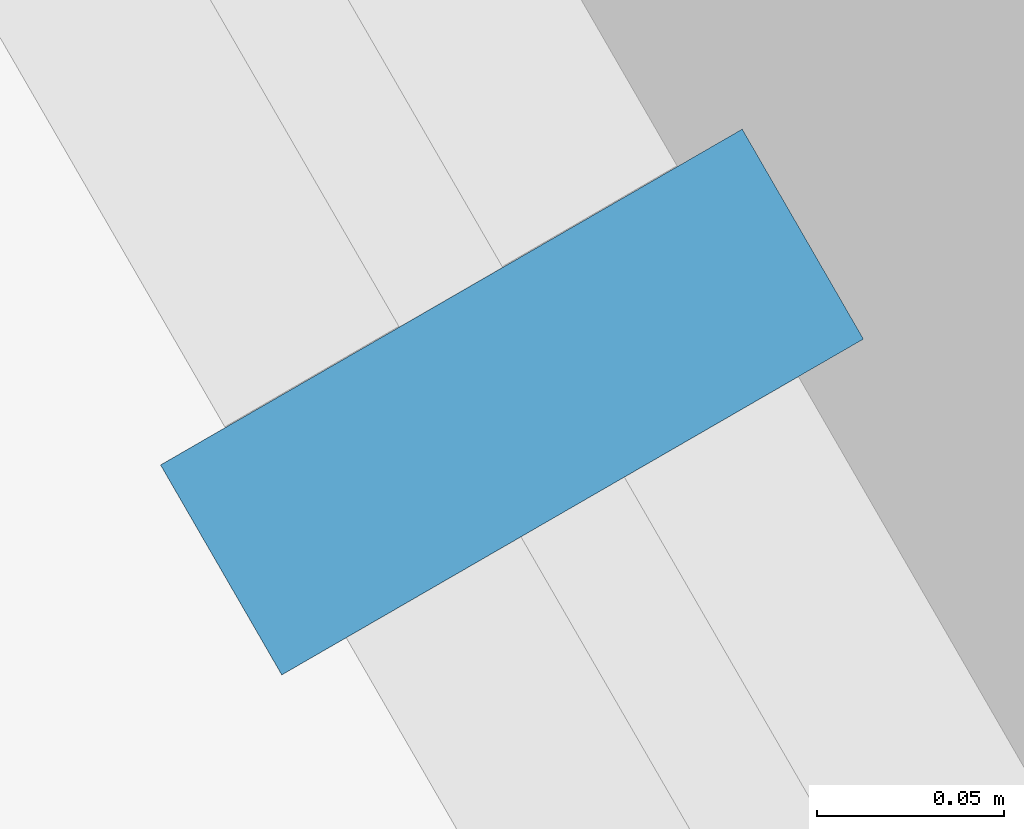
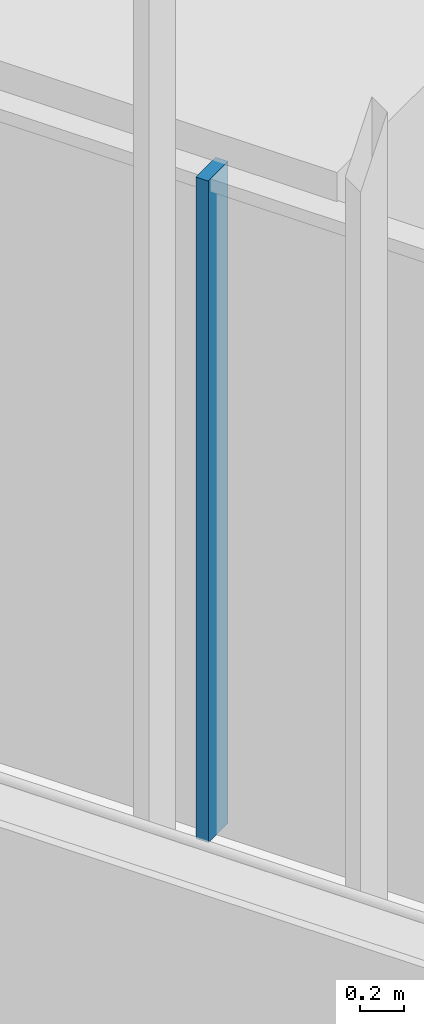
# One storey, part 16 of 238: 1 member, 1 element without a shape of its own.
"""IFC4 building model written with IfcOpenShell, lengths in metres."""

from ifc_helpers import new_model, si_unit, direction, frame, origin, origin_2d, place, context, subcontext, project, spatial, rectangle, extrude, material, material_profile, profile_set, type_object, element, aggregate, save


model = new_model("IFC4")

# Units and contexts
model_context = context("Model", 3, precision=1e-05, world=origin(), true_north=direction((0.0, 1.0)))
body_context = subcontext(model_context, "Body", "Model", "MODEL_VIEW")
ifc_project = project(units=[si_unit("LENGTHUNIT", "METRE"), si_unit("AREAUNIT", "SQUARE_METRE"), si_unit("VOLUMEUNIT", "CUBIC_METRE"), si_unit("PLANEANGLEUNIT", "RADIAN"), si_unit("MASSUNIT", "GRAM", prefix="KILO")], contexts=[model_context])

# Site, building, storey
site_placement = place(None, origin())
site = spatial("IfcSite", under=ifc_project, at=site_placement, CompositionType="ELEMENT")
building_placement = place(site_placement, origin())
building = spatial("IfcBuilding", under=site, at=building_placement, Name="Sandreach Pilgrim Tower", CompositionType="ELEMENT")
storey_placement = place(building_placement, frame((0.0, 0.0, 96.800048828125)))
storey = spatial("IfcBuildingStorey", under=building, at=storey_placement, Name="L23", CompositionType="ELEMENT", Elevation=96.800048828125)

# Curtain wall, member
ifc_material_1 = material(Name="Aluminium framed curtain wall", Category="aluminium")
curtain_wall_type = type_object("IfcCurtainWallType", Name="Hotel tower curtain wall", PredefinedType="NOTDEFINED", material=ifc_material_1)
curtain_wall_placement = place(storey_placement, origin())
curtain_wall = element("IfcCurtainWall", 1, at=curtain_wall_placement, inside=storey, type_object=curtain_wall_type, Name="CW-2 L23 SW", PredefinedType="NOTDEFINED")
ifc_material_2 = material(Name="Aluminium extrusion", Category="aluminium")
ifc_material_profile = material_profile(ifc_material_2, rectangle(XDim=0.06494140625, YDim=0.179931640625, at=origin_2d()), Name="CW-2M 65X180")
ifc_profile_set = profile_set([ifc_material_profile], Name="Aluminium extrusion")
member_type = type_object("IfcMemberType", Name="CW-2 mullion", PredefinedType="MULLION", material=ifc_profile_set)
member_placement = place(storey_placement, frame((-12.29296875, -23.695556640625, 0.0), z_axis=(0.0, 0.0, 1.0), x_axis=(-0.5, 0.866025403784, 0.0)))
member = element("IfcMember", 2, at=member_placement, type_object=member_type, Name="CW-2 mullion 2", PredefinedType="MULLION", context=body_context, shape_type="SweptSolid", body=[
    extrude(rectangle(XDim=0.06494140625, YDim=0.179931640625, at=origin_2d()), origin(), (0.0, 0.0, 1.0), 3.639892578125),
])
aggregate(curtain_wall, [member])

save(model, "model.ifc")
